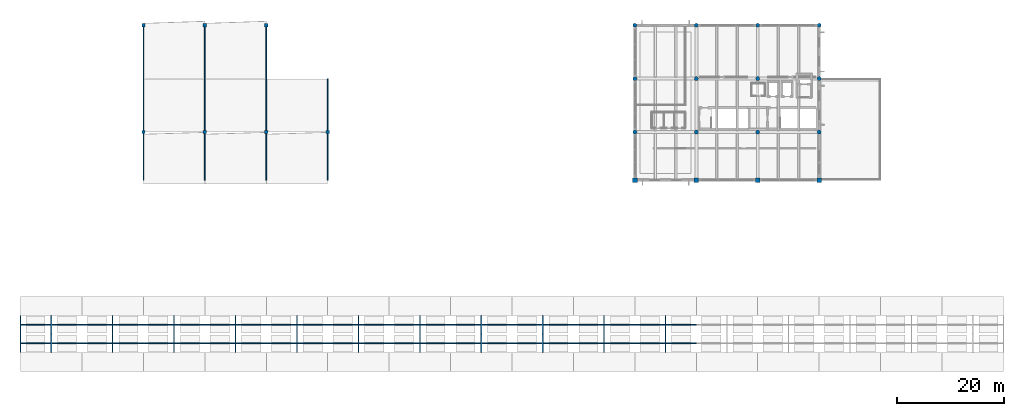
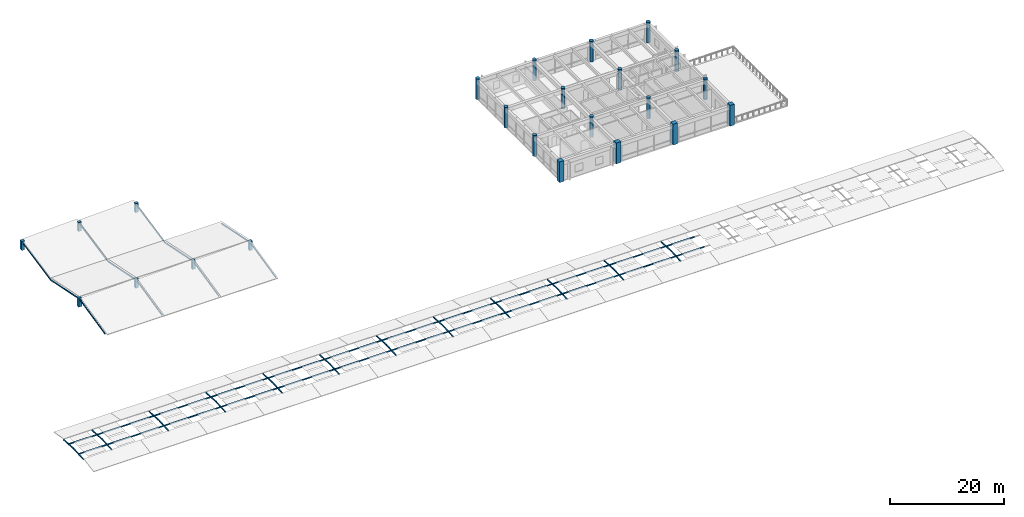
# One storey, part 1 of 27: 57 members, 23 columns.
"""IFC4 building model written with IfcOpenShell, lengths in metres."""

import ifcopenshell
import ifcopenshell.guid

model = None  # the IFC model being written
_history = None  # IfcOwnerHistory: only IFC2X3 demands one
_inside = {}  # id of a spatial element -> (the spatial element, [elements in it])
_under = {}  # id of a project, library or spatial element -> (it, [spatial elements below it])
_declared = {}  # id of a project -> (the project, [libraries it declares])
_typed = {}  # id of a type object -> (the type object, [elements of that type])
_made_of = {}  # id of a material, layer set ... -> (it, [elements and type objects made of it])


def new_model(schema):
    """Start an empty IFC model of exactly this schema.

    Asked for "IFC4X3", IfcOpenShell would pick the latest addendum, in which some entities
    have other attributes; the version numbers below select the first issue.
    IFC2X3 requires an IfcOwnerHistory on every rooted entity: one is made here for all.
    """
    global model, _history
    if schema == "IFC4X3":
        model = ifcopenshell.file(schema_version=(4, 3, 0, 0))
    else:
        model = ifcopenshell.file(schema=schema)
    _inside.clear()
    _under.clear()
    _declared.clear()
    _typed.clear()
    _made_of.clear()
    _history = None
    if model.schema == "IFC2X3":
        org = make("IfcOrganization", Name="unknown")
        user = make(
            "IfcPersonAndOrganization",
            ThePerson=make("IfcPerson", FamilyName="unknown"),
            TheOrganization=org,
        )
        app = make(
            "IfcApplication",
            ApplicationDeveloper=org,
            Version="unknown",
            ApplicationFullName="unknown",
            ApplicationIdentifier="unknown",
        )
        _history = make(
            "IfcOwnerHistory",
            OwningUser=user,
            OwningApplication=app,
            ChangeAction="ADDED",
            CreationDate=0,
        )
    return model


def make(cls, **values):
    """One entity of the class cls with the attributes given. An attribute that is None is left unset."""
    return model.create_entity(
        cls, **{name: value for name, value in values.items() if value is not None}
    )


def rooted(cls, **values):
    """An entity with a GlobalId (a new one), such as an element, a storey or a relation."""
    return make(cls, GlobalId=ifcopenshell.guid.new(), OwnerHistory=_history, **values)


def si_unit(unit_type, name, prefix=None):
    """IfcSIUnit, for example si_unit("LENGTHUNIT", "METRE", prefix="MILLI")."""
    return make("IfcSIUnit", UnitType=unit_type, Prefix=prefix, Name=name)


def assignment(units):
    """IfcUnitAssignment: the units of a project."""
    return None if units is None else make("IfcUnitAssignment", Units=units)


def point(xyz):
    """IfcCartesianPoint."""
    return None if xyz is None else make("IfcCartesianPoint", Coordinates=xyz)


def direction(xyz):
    """IfcDirection."""
    return None if xyz is None else make("IfcDirection", DirectionRatios=xyz)


def frame(location, z_axis=None, x_axis=None):
    """IfcAxis2Placement3D, a coordinate frame: its origin and axes. An axis left out is left unset."""
    return make(
        "IfcAxis2Placement3D",
        Location=point(location),
        Axis=direction(z_axis),
        RefDirection=direction(x_axis),
    )


def frame_2d(location, x_axis=None):
    """IfcAxis2Placement2D, a coordinate frame in the plane: its origin and x axis."""
    return make(
        "IfcAxis2Placement2D", Location=point(location), RefDirection=direction(x_axis)
    )


def origin():
    """The frame at (0, 0, 0) with its axes left unset."""
    return frame((0.0, 0.0, 0.0))


def origin_2d():
    """The frame at (0, 0) in the plane with its x axis left unset."""
    return frame_2d((0.0, 0.0))


def place(relative_to, where):
    """IfcLocalPlacement: puts the frame where relative to a parent placement (None: the world)."""
    return make(
        "IfcLocalPlacement", PlacementRelTo=relative_to, RelativePlacement=where
    )


def context(
    kind, dimensions, precision=None, world=None, true_north=None, identifier=None
):
    """IfcGeometricRepresentationContext, for example the 3D "Model" context."""
    return make(
        "IfcGeometricRepresentationContext",
        ContextIdentifier=identifier,
        ContextType=kind,
        CoordinateSpaceDimension=dimensions,
        Precision=precision,
        WorldCoordinateSystem=world,
        TrueNorth=true_north,
    )


def subcontext(parent, identifier, kind, view, scale=None):
    """IfcGeometricRepresentationSubContext, for example "Body" below "Model"."""
    return make(
        "IfcGeometricRepresentationSubContext",
        ContextIdentifier=identifier,
        ContextType=kind,
        ParentContext=parent,
        TargetScale=scale,
        TargetView=view,
    )


def project(units=None, contexts=None):
    """IfcProject with its units and contexts."""
    return rooted(
        "IfcProject",
        Name="project",
        RepresentationContexts=contexts,
        UnitsInContext=assignment(units),
    )


def spatial(cls, under=None, at=None, **own):
    """A site, building, storey or space (cls), placed at a placement, below another one or the project."""
    s = rooted(cls, ObjectPlacement=at, **own)
    if under is not None:
        _under.setdefault(under.id(), (under, []))[1].append(s)
    return s


def profile(cls, at=None, kind="AREA", **sizes):
    """A parametric profile (cls). Its sizes go by their IFC names, for example OverallWidth=200.0."""
    return make(cls, ProfileType=kind, Position=at, **sizes)


def rectangle(**sizes):
    """IfcRectangleProfileDef."""
    return profile("IfcRectangleProfileDef", **sizes)


def hollow_rectangle(**sizes):
    """IfcRectangleHollowProfileDef."""
    return profile("IfcRectangleHollowProfileDef", **sizes)


def circle(**sizes):
    """IfcCircleProfileDef."""
    return profile("IfcCircleProfileDef", **sizes)


def extrude(swept, where, along, depth):
    """IfcExtrudedAreaSolid: the profile swept, set in the frame where, extruded along a direction by depth."""
    return make(
        "IfcExtrudedAreaSolid",
        SweptArea=swept,
        Position=where,
        ExtrudedDirection=direction(along),
        Depth=depth,
    )


def shape(context_of_items, identifier, shape_type, items):
    """IfcShapeRepresentation: the items that make up one representation, for example the "Body"."""
    return make(
        "IfcShapeRepresentation",
        ContextOfItems=context_of_items,
        RepresentationIdentifier=identifier,
        RepresentationType=shape_type,
        Items=items,
    )


def material(Name=None, Category=None):
    """IfcMaterial."""
    return make("IfcMaterial", Name=Name, Category=Category)


def material_profile(
    of_material, cross_section, Name=None, Category=None, Priority=None
):
    """IfcMaterialProfile: a cross section and its material."""
    return make(
        "IfcMaterialProfile",
        Name=Name,
        Material=of_material,
        Profile=cross_section,
        Priority=Priority,
        Category=Category,
    )


def profile_set(profiles, Name=None, composite=None):
    """IfcMaterialProfileSet."""
    return make(
        "IfcMaterialProfileSet",
        Name=Name,
        MaterialProfiles=profiles,
        CompositeProfile=composite,
    )


def made_of(thing, what):
    """Note that an element or type object is made of a material, layer set ...; save() writes the relation."""
    if what is not None:
        _made_of.setdefault(what.id(), (what, []))[1].append(thing)
    return thing


def type_object(cls, material=None, **own):
    """A type object (cls), such as IfcWallType, which elements share."""
    return made_of(rooted(cls, **own), material)


def element(
    cls,
    number,
    at=None,
    inside=None,
    cuts=None,
    type_object=None,
    material=None,
    context=None,
    identifier="Body",
    shape_type=None,
    held_by="IfcProductDefinitionShape",
    body=None,
    shapes=None,
    **own,
):
    """One element of the class cls, such as IfcWall. Its Tag is "e" and its number.

    at: its placement. inside: the storey or other place that contains it. cuts: it is an
    opening in that element (IfcRelVoidsElement). A single representation is given by context,
    identifier, shape_type and body (its items); several are given by shapes. held_by: the class
    of the entity that holds the representations. save() writes the other relations.
    """
    e = rooted(cls, Tag="e%d" % number, ObjectPlacement=at, **own)
    if body is not None:
        shapes = [shape(context, identifier, shape_type, body)]
    if shapes is not None:
        e.Representation = make(held_by, Representations=shapes)
    if inside is not None:
        _inside.setdefault(inside.id(), (inside, []))[1].append(e)
    if cuts is not None:
        rooted(
            "IfcRelVoidsElement", RelatingBuildingElement=cuts, RelatedOpeningElement=e
        )
    if type_object is not None:
        _typed.setdefault(type_object.id(), (type_object, []))[1].append(e)
    return made_of(e, material)


def aggregate(whole, parts):
    """IfcRelAggregates: a whole, such as a stair, and the parts it consists of."""
    return rooted("IfcRelAggregates", RelatingObject=whole, RelatedObjects=parts)


def save(model, path):
    """Write the relations noted so far, then the file.

    IfcRelAggregates (storeys below a building ...), IfcRelContainedInSpatialStructure (elements
    in a storey), IfcRelDefinesByType, IfcRelAssociatesMaterial and IfcRelDeclares: one each for
    every whole, place, type object, material and project.
    """
    for whole, parts in _under.values():
        aggregate(whole, parts)
    for where, things in _inside.values():
        rooted(
            "IfcRelContainedInSpatialStructure",
            RelatedElements=things,
            RelatingStructure=where,
        )
    for kind, things in _typed.values():
        rooted("IfcRelDefinesByType", RelatedObjects=things, RelatingType=kind)
    for what, things in _made_of.values():
        rooted("IfcRelAssociatesMaterial", RelatedObjects=things, RelatingMaterial=what)
    for by, libraries in _declared.values():
        rooted("IfcRelDeclares", RelatingContext=by, RelatedDefinitions=libraries)
    model.write(path)


model = new_model("IFC4")

# Units and contexts
model_context = context("Model", 3, precision=1e-05, world=origin(), true_north=direction((0.0, 1.0)))
body_context = subcontext(model_context, "Body", "Model", "MODEL_VIEW")
ifc_project = project(units=[si_unit("LENGTHUNIT", "METRE"), si_unit("AREAUNIT", "SQUARE_METRE"), si_unit("VOLUMEUNIT", "CUBIC_METRE"), si_unit("PLANEANGLEUNIT", "RADIAN"), si_unit("MASSUNIT", "GRAM", prefix="KILO")], contexts=[model_context])

# Site, building, storey
site_placement = place(None, origin())
site = spatial("IfcSite", under=ifc_project, at=site_placement, CompositionType="ELEMENT")
building_placement = place(site_placement, origin())
building = spatial("IfcBuilding", under=site, at=building_placement, Name="Ologun Quay Terminus", CompositionType="ELEMENT")
storey_placement = place(building_placement, frame((0.0, 0.0, 22.4599609375)))
storey = spatial("IfcBuildingStorey", under=building, at=storey_placement, Name="L05", CompositionType="ELEMENT", Elevation=22.4599609375)

# Columns
ifc_material_1 = material(Name="Concrete C45/55", Category="concrete")
ifc_material_profile_1 = material_profile(ifc_material_1, rectangle(XDim=0.89990234375, YDim=0.89990234375, at=origin_2d()), Name="RC 900x900")
ifc_profile_set_1 = profile_set([ifc_material_profile_1], Name="Concrete C45/55")
column_type_1 = type_object("IfcColumnType", Name="Courtyard Wing Mid Column 900x900", PredefinedType="COLUMN", material=ifc_profile_set_1)
for number, where, z_axis, x_axis, name in (
    (1, (115.0, 85.800048828125, 0.0), (0.0, 0.0, 1.0), (1.0, 0.0, 0.0), "C3 Column 11/G2 L05"),
    (2, (126.5, 85.800048828125, 0.0), (0.0, 0.0, 1.0), (1.0, 0.0, 0.0), "C3 Column 12/G2 L05"),
    (3, (138.0, 85.800048828125, 0.0), (0.0, 0.0, 1.0), (1.0, 0.0, 0.0), "C3 Column 13/G2 L05"),
    (4, (149.5, 85.800048828125, 0.0), (0.0, 0.0, 1.0), (1.0, 0.0, 0.0), "C3 Column 14/G2 L05"),
):
    element("IfcColumn", number, at=place(storey_placement, frame(where, z_axis=z_axis, x_axis=x_axis)), inside=storey, type_object=column_type_1, Name=name, PredefinedType="COLUMN", context=body_context, shape_type="SweptSolid", body=[
        extrude(rectangle(XDim=0.89990234375, YDim=0.89990234375, at=origin_2d()), origin(), (0.0, 0.0, 1.0), 4.43994140625),
    ])
ifc_material_2 = material(Name="Concrete C40/50", Category="concrete")
ifc_material_profile_2 = material_profile(ifc_material_2, rectangle(XDim=0.60009765625, YDim=0.60009765625, at=origin_2d()), Name="RC 600x600")
ifc_profile_set_2 = profile_set([ifc_material_profile_2], Name="Concrete C40/50")
column_type_2 = type_object("IfcColumnType", Name="Podium Retail Column 600x600", PredefinedType="COLUMN", material=ifc_profile_set_2)
for number, where, z_axis, x_axis, name in (
    (5, (23.0, 94.800048828125, 0.0), (0.0, 0.0, 1.0), (1.0, 0.0, 0.0), "C7 Roof Ridge Stub L05-WWNG-3-GHB"),
    (6, (23.0, 114.800048828125, 0.0), (0.0, 0.0, 1.0), (1.0, 0.0, 0.0), "C7 Roof Ridge Stub L05-WWNG-3-JKB"),
    (7, (34.5, 94.800048828125, 0.0), (0.0, 0.0, 1.0), (1.0, 0.0, 0.0), "C7 Roof Ridge Stub L05-WWNG-4-GHB"),
    (8, (34.5, 114.800048828125, 0.0), (0.0, 0.0, 1.0), (1.0, 0.0, 0.0), "C7 Roof Ridge Stub L05-WWNG-4-JKB"),
    (9, (46.0, 94.800048828125, 0.0), (0.0, 0.0, 1.0), (1.0, 0.0, 0.0), "C7 Roof Ridge Stub L05-WWNG-5-GHB"),
    (10, (46.0, 114.800048828125, 0.0), (0.0, 0.0, 1.0), (1.0, 0.0, 0.0), "C7 Roof Ridge Stub L05-WWNG-5-JKB"),
    (11, (57.5, 94.800048828125, 0.0), (0.0, 0.0, 1.0), (1.0, 0.0, 0.0), "C7 Roof Ridge Stub L05-WWNG-6-GHB"),
):
    element("IfcColumn", number, at=place(storey_placement, frame(where, z_axis=z_axis, x_axis=x_axis)), inside=storey, type_object=column_type_2, Name=name, PredefinedType="COLUMN", context=body_context, shape_type="SweptSolid", body=[
        extrude(rectangle(XDim=0.60009765625, YDim=0.60009765625, at=origin_2d()), origin(), (0.0, 0.0, 1.0), 1.919921875),
    ])
ifc_material_3 = material(Name="Concrete C40/50", Category="concrete")
ifc_material_profile_3 = material_profile(ifc_material_3, circle(Radius=0.375, at=origin_2d()), Name="RC D750")
ifc_profile_set_3 = profile_set([ifc_material_profile_3], Name="Concrete C40/50")
column_type_3 = type_object("IfcColumnType", Name="Promenade Colonnade Circular Column D750", PredefinedType="COLUMN", material=ifc_profile_set_3)
for number, where, z_axis, x_axis, name in (
    (12, (115.0, 94.800048828125, 0.0), (0.0, 0.0, 1.0), (1.0, 0.0, 0.0), "C10 Column 11/H L05"),
    (13, (115.0, 104.800048828125, 0.0), (0.0, 0.0, 1.0), (1.0, 0.0, 0.0), "C10 Column 11/J L05"),
    (14, (115.0, 114.800048828125, 0.0), (0.0, 0.0, 1.0), (1.0, 0.0, 0.0), "C10 Column 11/K L05"),
    (15, (126.5, 94.800048828125, 0.0), (0.0, 0.0, 1.0), (1.0, 0.0, 0.0), "C10 Column 12/H L05"),
    (16, (126.5, 104.800048828125, 0.0), (0.0, 0.0, 1.0), (1.0, 0.0, 0.0), "C10 Column 12/J L05"),
    (17, (126.5, 114.800048828125, 0.0), (0.0, 0.0, 1.0), (1.0, 0.0, 0.0), "C10 Column 12/K L05"),
    (18, (138.0, 94.800048828125, 0.0), (0.0, 0.0, 1.0), (1.0, 0.0, 0.0), "C10 Column 13/H L05"),
    (19, (138.0, 104.800048828125, 0.0), (0.0, 0.0, 1.0), (1.0, 0.0, 0.0), "C10 Column 13/J L05"),
    (20, (138.0, 114.800048828125, 0.0), (0.0, 0.0, 1.0), (1.0, 0.0, 0.0), "C10 Column 13/K L05"),
    (21, (149.5, 94.800048828125, 0.0), (0.0, 0.0, 1.0), (1.0, 0.0, 0.0), "C10 Column 14/H L05"),
    (22, (149.5, 104.800048828125, 0.0), (0.0, 0.0, 1.0), (1.0, 0.0, 0.0), "C10 Column 14/J L05"),
    (23, (149.5, 114.800048828125, 0.0), (0.0, 0.0, 1.0), (1.0, 0.0, 0.0), "C10 Column 14/K L05"),
):
    element("IfcColumn", number, at=place(storey_placement, frame(where, z_axis=z_axis, x_axis=x_axis)), inside=storey, type_object=column_type_3, Name=name, PredefinedType="COLUMN", context=body_context, shape_type="SweptSolid", body=[
        extrude(circle(Radius=0.375, at=origin_2d()), origin(), (0.0, 0.0, 1.0), 4.43994140625),
    ])

# Members
ifc_material_4 = material(Name="Steel S355", Category="steel")
ifc_material_profile_4 = material_profile(ifc_material_4, hollow_rectangle(XDim=0.199951171875, YDim=0.199951171875, WallThickness=0.008056640625, at=origin_2d()), Name="SHS 200x200x8")
ifc_profile_set_4 = profile_set([ifc_material_profile_4], Name="Steel S355")
member_type_1 = type_object("IfcMemberType", Name="Skylight Cross Transom Bar RHS150", PredefinedType="STRUT", material=ifc_profile_set_4)
for number, where, z_axis, x_axis, name in (
    (24, (5.75, 53.5, 0.301025390625), (0.0, 0.998222121157, 0.0596036646), (-1.0, 0.0, 0.0), "SK2 Skylight Transom B1-5"),
    (25, (0.0, 53.5, 0.301025390625), (0.0, 0.998222121157, 0.0596036646), (-1.0, 0.0, 0.0), "SK2 Gable Skylight Transom G01-5"),
    (26, (5.75, 57.0, 0.510009765625), (0.0, 0.998222121157, -0.0596036646), (-1.0, 0.0, 0.0), "SK2 Skylight Transom B1-6"),
    (27, (0.0, 57.0, 0.510009765625), (0.0, 0.998222121157, -0.0596036646), (-1.0, 0.0, 0.0), "SK2 Gable Skylight Transom G01-6"),
    (28, (17.25, 53.5, 0.301025390625), (0.0, 0.998222121157, 0.0596036646), (-1.0, 0.0, 0.0), "SK2 Skylight Transom B2-5"),
    (29, (17.25, 57.0, 0.510009765625), (0.0, 0.998222121157, -0.0596036646), (-1.0, 0.0, 0.0), "SK2 Skylight Transom B2-6"),
    (30, (28.75, 53.5, 0.301025390625), (0.0, 0.998222121157, 0.0596036646), (-1.0, 0.0, 0.0), "SK2 Skylight Transom B3-5"),
    (31, (28.75, 57.0, 0.510009765625), (0.0, 0.998222121157, -0.0596036646), (-1.0, 0.0, 0.0), "SK2 Skylight Transom B3-6"),
    (32, (40.25, 53.5, 0.301025390625), (0.0, 0.998222121157, 0.0596036646), (-1.0, 0.0, 0.0), "SK2 Skylight Transom B4-5"),
    (33, (40.25, 57.0, 0.510009765625), (0.0, 0.998222121157, -0.0596036646), (-1.0, 0.0, 0.0), "SK2 Skylight Transom B4-6"),
    (34, (51.75, 53.5, 0.301025390625), (0.0, 0.998222121157, 0.0596036646), (-1.0, 0.0, 0.0), "SK2 Skylight Transom B5-5"),
    (35, (51.75, 57.0, 0.510009765625), (0.0, 0.998222121157, -0.0596036646), (-1.0, 0.0, 0.0), "SK2 Skylight Transom B5-6"),
    (36, (63.25, 53.5, 0.301025390625), (0.0, 0.998222121157, 0.0596036646), (-1.0, 0.0, 0.0), "SK2 Skylight Transom B6-5"),
    (37, (63.25, 57.0, 0.510009765625), (0.0, 0.998222121157, -0.0596036646), (-1.0, 0.0, 0.0), "SK2 Skylight Transom B6-6"),
    (38, (74.75, 53.5, 0.301025390625), (0.0, 0.998222121157, 0.0596036646), (-1.0, 0.0, 0.0), "SK2 Skylight Transom B7-5"),
    (39, (74.75, 57.0, 0.510009765625), (0.0, 0.998222121157, -0.0596036646), (-1.0, 0.0, 0.0), "SK2 Skylight Transom B7-6"),
    (40, (86.25, 53.5, 0.301025390625), (0.0, 0.998222121157, 0.0596036646), (-1.0, 0.0, 0.0), "SK2 Skylight Transom B8-5"),
    (41, (86.25, 57.0, 0.510009765625), (0.0, 0.998222121157, -0.0596036646), (-1.0, 0.0, 0.0), "SK2 Skylight Transom B8-6"),
    (42, (97.75, 53.5, 0.301025390625), (0.0, 0.998222121157, 0.0596036646), (-1.0, 0.0, 0.0), "SK2 Skylight Transom B9-5"),
    (43, (97.75, 57.0, 0.510009765625), (0.0, 0.998222121157, -0.0596036646), (-1.0, 0.0, 0.0), "SK2 Skylight Transom B9-6"),
    (44, (109.25, 53.5, 0.301025390625), (0.0, 0.998222121157, 0.0596036646), (-1.0, 0.0, 0.0), "SK2 Skylight Transom B10-5"),
    (45, (109.25, 57.0, 0.510009765625), (0.0, 0.998222121157, -0.0596036646), (-1.0, 0.0, 0.0), "SK2 Skylight Transom B10-6"),
    (46, (120.75, 53.5, 0.301025390625), (0.0, 0.998222121157, 0.0596036646), (-1.0, 0.0, 0.0), "SK2 Skylight Transom B11-5"),
    (47, (120.75, 57.0, 0.510009765625), (0.0, 0.998222121157, -0.0596036646), (-1.0, 0.0, 0.0), "SK2 Skylight Transom B11-6"),
):
    element("IfcMember", number, at=place(storey_placement, frame(where, z_axis=z_axis, x_axis=x_axis)), inside=storey, type_object=member_type_1, Name=name, PredefinedType="STRUT", context=body_context, shape_type="SweptSolid", body=[
        extrude(hollow_rectangle(XDim=0.199951171875, YDim=0.199951171875, WallThickness=0.008056640625, at=origin_2d()), origin(), (0.0, 0.0, 1.0), 3.50634765625),
    ])
ifc_material_5 = material(Name="Steel S355", Category="steel")
ifc_material_profile_5 = material_profile(ifc_material_5, hollow_rectangle(XDim=0.14990234375, YDim=0.25, WallThickness=0.008056640625, at=origin_2d()), Name="RHS 250x150x8")
ifc_profile_set_5 = profile_set([ifc_material_profile_5], Name="Steel S355")
member_type_2 = type_object("IfcMemberType", Name="Skylight Longitudinal Glazing Bar RHS200", PredefinedType="PURLIN", material=ifc_profile_set_5)
member_1_placement = place(storey_placement, frame((23.0, 85.800048828125, -0.521240234375), z_axis=(0.0, 0.975259516727, 0.221063056689), x_axis=(-1.0, 0.0, 0.0)))
element("IfcMember", 48, at=member_1_placement, inside=storey, type_object=member_type_2, Name="SK1 Inclined Roof Rafter L05-WWNG-3-GH", PredefinedType="PURLIN", context=body_context, shape_type="SweptSolid", body=[
    extrude(hollow_rectangle(XDim=0.14990234375, YDim=0.25, WallThickness=0.008056640625, at=origin_2d()), origin(), (0.0, 0.0, 1.0), 9.228271484375),
])
for number, where, z_axis, x_axis, name in (
    (49, (23.0, 94.800048828125, 1.52001953125), (0.0, 0.979818977014, -0.199886898729), (-1.0, 0.0, 0.0), "SK1 Inclined Roof Rafter L05-WWNG-3-HJ"),
    (50, (23.0, 104.800048828125, -0.52001953125), (0.0, 0.979818977014, 0.199886898729), (-1.0, 0.0, 0.0), "SK1 Inclined Roof Rafter L05-WWNG-3-JK"),
):
    element("IfcMember", number, at=place(storey_placement, frame(where, z_axis=z_axis, x_axis=x_axis)), inside=storey, type_object=member_type_2, Name=name, PredefinedType="PURLIN", context=body_context, shape_type="SweptSolid", body=[
        extrude(hollow_rectangle(XDim=0.14990234375, YDim=0.25, WallThickness=0.008056640625, at=origin_2d()), origin(), (0.0, 0.0, 1.0), 10.2060546875),
    ])
member_2_placement = place(storey_placement, frame((34.5, 85.800048828125, -0.521240234375), z_axis=(0.0, 0.975259516727, 0.221063056689), x_axis=(-1.0, 0.0, 0.0)))
element("IfcMember", 51, at=member_2_placement, inside=storey, type_object=member_type_2, Name="SK1 Inclined Roof Rafter L05-WWNG-4-GH", PredefinedType="PURLIN", context=body_context, shape_type="SweptSolid", body=[
    extrude(hollow_rectangle(XDim=0.14990234375, YDim=0.25, WallThickness=0.008056640625, at=origin_2d()), origin(), (0.0, 0.0, 1.0), 9.228271484375),
])
for number, where, z_axis, x_axis, name in (
    (52, (34.5, 94.800048828125, 1.52001953125), (0.0, 0.979818977014, -0.199886898729), (-1.0, 0.0, 0.0), "SK1 Inclined Roof Rafter L05-WWNG-4-HJ"),
    (53, (34.5, 104.800048828125, -0.52001953125), (0.0, 0.979818977014, 0.199886898729), (-1.0, 0.0, 0.0), "SK1 Inclined Roof Rafter L05-WWNG-4-JK"),
):
    element("IfcMember", number, at=place(storey_placement, frame(where, z_axis=z_axis, x_axis=x_axis)), inside=storey, type_object=member_type_2, Name=name, PredefinedType="PURLIN", context=body_context, shape_type="SweptSolid", body=[
        extrude(hollow_rectangle(XDim=0.14990234375, YDim=0.25, WallThickness=0.008056640625, at=origin_2d()), origin(), (0.0, 0.0, 1.0), 10.2060546875),
    ])
member_3_placement = place(storey_placement, frame((46.0, 85.800048828125, -0.521240234375), z_axis=(0.0, 0.975259516727, 0.221063056689), x_axis=(-1.0, 0.0, 0.0)))
element("IfcMember", 54, at=member_3_placement, inside=storey, type_object=member_type_2, Name="SK1 Inclined Roof Rafter L05-WWNG-5-GH", PredefinedType="PURLIN", context=body_context, shape_type="SweptSolid", body=[
    extrude(hollow_rectangle(XDim=0.14990234375, YDim=0.25, WallThickness=0.008056640625, at=origin_2d()), origin(), (0.0, 0.0, 1.0), 9.228271484375),
])
for number, where, z_axis, x_axis, name in (
    (55, (46.0, 94.800048828125, 1.52001953125), (0.0, 0.979818977014, -0.199886898729), (-1.0, 0.0, 0.0), "SK1 Inclined Roof Rafter L05-WWNG-5-HJ"),
    (56, (46.0, 104.800048828125, -0.52001953125), (0.0, 0.979818977014, 0.199886898729), (-1.0, 0.0, 0.0), "SK1 Inclined Roof Rafter L05-WWNG-5-JK"),
):
    element("IfcMember", number, at=place(storey_placement, frame(where, z_axis=z_axis, x_axis=x_axis)), inside=storey, type_object=member_type_2, Name=name, PredefinedType="PURLIN", context=body_context, shape_type="SweptSolid", body=[
        extrude(hollow_rectangle(XDim=0.14990234375, YDim=0.25, WallThickness=0.008056640625, at=origin_2d()), origin(), (0.0, 0.0, 1.0), 10.2060546875),
    ])
member_4_placement = place(storey_placement, frame((57.5, 85.800048828125, -0.521240234375), z_axis=(0.0, 0.975259516727, 0.221063056689), x_axis=(-1.0, 0.0, 0.0)))
element("IfcMember", 57, at=member_4_placement, inside=storey, type_object=member_type_2, Name="SK1 Inclined Roof Rafter L05-WWNG-6-GH", PredefinedType="PURLIN", context=body_context, shape_type="SweptSolid", body=[
    extrude(hollow_rectangle(XDim=0.14990234375, YDim=0.25, WallThickness=0.008056640625, at=origin_2d()), origin(), (0.0, 0.0, 1.0), 9.228271484375),
])
member_5_placement = place(storey_placement, frame((57.5, 94.800048828125, 1.52001953125), z_axis=(0.0, 0.979818977014, -0.199886898729), x_axis=(-1.0, 0.0, 0.0)))
element("IfcMember", 58, at=member_5_placement, inside=storey, type_object=member_type_2, Name="SK1 Inclined Roof Rafter L05-WWNG-6-HJ", PredefinedType="PURLIN", context=body_context, shape_type="SweptSolid", body=[
    extrude(hollow_rectangle(XDim=0.14990234375, YDim=0.25, WallThickness=0.008056640625, at=origin_2d()), origin(), (0.0, 0.0, 1.0), 10.2060546875),
])
for number, where, z_axis, x_axis, name in (
    (59, (0.0, 55.25, 0.405517578125), (1.0, 0.0, 0.0), (0.0, 1.0, 0.0), "SK1 Skylight Bar B1-5"),
    (60, (0.0, 58.75, 0.405517578125), (1.0, 0.0, 0.0), (0.0, 1.0, 0.0), "SK1 Skylight Bar B1-6"),
    (61, (11.5, 55.25, 0.405517578125), (1.0, 0.0, 0.0), (0.0, 1.0, 0.0), "SK1 Skylight Bar B2-5"),
    (62, (11.5, 58.75, 0.405517578125), (1.0, 0.0, 0.0), (0.0, 1.0, 0.0), "SK1 Skylight Bar B2-6"),
    (63, (23.0, 55.25, 0.405517578125), (1.0, 0.0, 0.0), (0.0, 1.0, 0.0), "SK1 Skylight Bar B3-5"),
    (64, (23.0, 58.75, 0.405517578125), (1.0, 0.0, 0.0), (0.0, 1.0, 0.0), "SK1 Skylight Bar B3-6"),
    (65, (34.5, 55.25, 0.405517578125), (1.0, 0.0, 0.0), (0.0, 1.0, 0.0), "SK1 Skylight Bar B4-5"),
    (66, (34.5, 58.75, 0.405517578125), (1.0, 0.0, 0.0), (0.0, 1.0, 0.0), "SK1 Skylight Bar B4-6"),
    (67, (46.0, 55.25, 0.405517578125), (1.0, 0.0, 0.0), (0.0, 1.0, 0.0), "SK1 Skylight Bar B5-5"),
    (68, (46.0, 58.75, 0.405517578125), (1.0, 0.0, 0.0), (0.0, 1.0, 0.0), "SK1 Skylight Bar B5-6"),
    (69, (57.5, 55.25, 0.405517578125), (1.0, 0.0, 0.0), (0.0, 1.0, 0.0), "SK1 Skylight Bar B6-5"),
    (70, (57.5, 58.75, 0.405517578125), (1.0, 0.0, 0.0), (0.0, 1.0, 0.0), "SK1 Skylight Bar B6-6"),
    (71, (69.0, 55.25, 0.405517578125), (1.0, 0.0, 0.0), (0.0, 1.0, 0.0), "SK1 Skylight Bar B7-5"),
    (72, (69.0, 58.75, 0.405517578125), (1.0, 0.0, 0.0), (0.0, 1.0, 0.0), "SK1 Skylight Bar B7-6"),
    (73, (80.5, 55.25, 0.405517578125), (1.0, 0.0, 0.0), (0.0, 1.0, 0.0), "SK1 Skylight Bar B8-5"),
    (74, (80.5, 58.75, 0.405517578125), (1.0, 0.0, 0.0), (0.0, 1.0, 0.0), "SK1 Skylight Bar B8-6"),
    (75, (92.0, 55.25, 0.405517578125), (1.0, 0.0, 0.0), (0.0, 1.0, 0.0), "SK1 Skylight Bar B9-5"),
    (76, (92.0, 58.75, 0.405517578125), (1.0, 0.0, 0.0), (0.0, 1.0, 0.0), "SK1 Skylight Bar B9-6"),
    (77, (103.5, 55.25, 0.405517578125), (1.0, 0.0, 0.0), (0.0, 1.0, 0.0), "SK1 Skylight Bar B10-5"),
    (78, (103.5, 58.75, 0.405517578125), (1.0, 0.0, 0.0), (0.0, 1.0, 0.0), "SK1 Skylight Bar B10-6"),
    (79, (115.0, 55.25, 0.405517578125), (1.0, 0.0, 0.0), (0.0, 1.0, 0.0), "SK1 Skylight Bar B11-5"),
    (80, (115.0, 58.75, 0.405517578125), (1.0, 0.0, 0.0), (0.0, 1.0, 0.0), "SK1 Skylight Bar B11-6"),
):
    element("IfcMember", number, at=place(storey_placement, frame(where, z_axis=z_axis, x_axis=x_axis)), inside=storey, type_object=member_type_2, Name=name, PredefinedType="PURLIN", context=body_context, shape_type="SweptSolid", body=[
        extrude(hollow_rectangle(XDim=0.14990234375, YDim=0.25, WallThickness=0.008056640625, at=origin_2d()), origin(), (0.0, 0.0, 1.0), 11.5),
    ])

save(model, "model.ifc")
